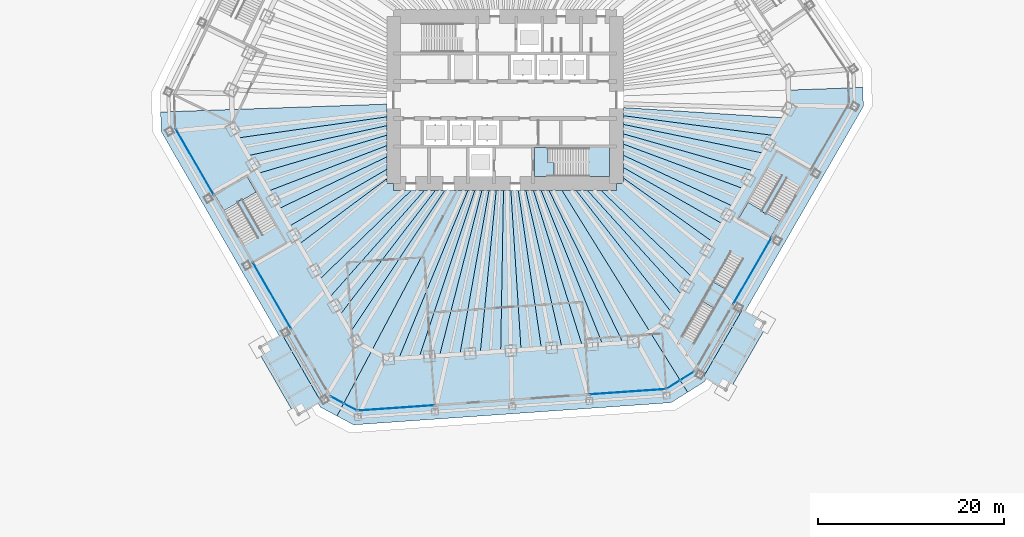
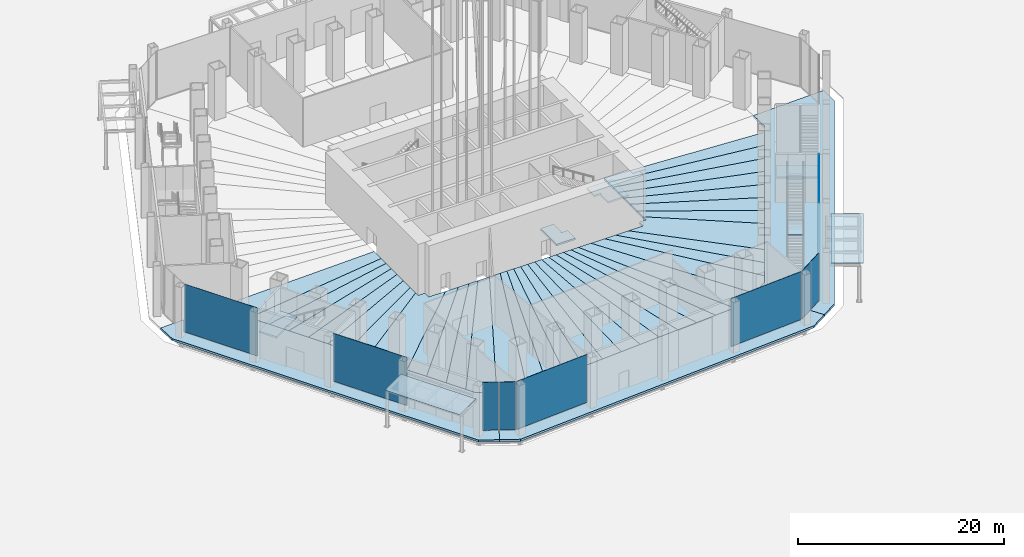
# One storey, part 24 of 45: 46 slabs, 9 plates, 11 elements without a shape of their own.
"""IFC4 building model written with IfcOpenShell, lengths in metres."""

from ifc_helpers import new_model, si_unit, direction, frame, origin, origin_2d, place, context, subcontext, project, spatial, polyline, rectangle, outline, extrude, material, layer, layer_set, constituent, constituent_set, type_object, element, aggregate, save


model = new_model("IFC4")

# Units and contexts
model_context = context("Model", 3, precision=1e-05, world=origin(), true_north=direction((0.0, 1.0)))
body_context = subcontext(model_context, "Body", "Model", "MODEL_VIEW")
ifc_project = project(units=[si_unit("LENGTHUNIT", "METRE"), si_unit("AREAUNIT", "SQUARE_METRE"), si_unit("VOLUMEUNIT", "CUBIC_METRE"), si_unit("PLANEANGLEUNIT", "RADIAN"), si_unit("MASSUNIT", "GRAM", prefix="KILO")], contexts=[model_context])

# Site, building, storey
site_placement = place(None, origin())
site = spatial("IfcSite", under=ifc_project, at=site_placement, CompositionType="ELEMENT")
building_placement = place(site_placement, origin())
building = spatial("IfcBuilding", under=site, at=building_placement, Name="Qingtian Harvest Tower", CompositionType="ELEMENT")
storey_placement = place(building_placement, origin())
storey = spatial("IfcBuildingStorey", under=building, at=storey_placement, Name="L00", CompositionType="ELEMENT", Elevation=0.0)

# Slabs
ifc_material_1 = material(Name="Concrete fc' 35 MPa", Category="concrete")
ifc_layer_1 = layer(ifc_material_1, 0.25)
ifc_layer_set_1 = layer_set([ifc_layer_1], Name="Composite floor slab FS25 250")
slab_type_1 = type_object("IfcSlabType", Name="Composite floor slab FS25 250", PredefinedType="FLOOR", material=ifc_layer_set_1)
slab_1_placement = place(storey_placement, frame((0.0, 0.0, -0.25)))
element("IfcSlab", 1, at=slab_1_placement, inside=storey, type_object=slab_type_1, Name="Floor slab L00 panel DPSE", PredefinedType="FLOOR", context=body_context, shape_type="SweptSolid", body=[
    extrude(outline(polyline([(19.688720703125, -31.508544921875), (15.607421875, -24.977294921875), (17.404541015625, -23.854248046875), (30.618408203125, -0.96728515625), (30.54736328125, 1.066650390625), (38.56103515625, 1.3466796875), (38.6318359375, -0.6875), (21.48583984375, -30.385498046875), (19.688720703125, -31.508544921875)])), origin(), (0.0, 0.0, 1.0), 0.25),
])
slab_2_placement = place(storey_placement, frame((0.0, 0.0, -0.25)))
element("IfcSlab", 2, at=slab_2_placement, inside=storey, type_object=slab_type_1, Name="Floor slab L00 panel DPS", PredefinedType="FLOOR", context=body_context, shape_type="SweptSolid", body=[
    extrude(outline(polyline([(-18.1142578125, -34.068115234375), (-14.349853515625, -26.98828125), (-12.552734375, -27.943603515625), (13.810546875, -26.10009765625), (15.607421875, -24.977294921875), (19.688720703125, -31.508544921875), (17.8916015625, -32.63134765625), (-16.317138671875, -35.0234375), (-18.1142578125, -34.068115234375)])), origin(), (0.0, 0.0, 1.0), 0.25),
])
slab_3_placement = place(storey_placement, frame((0.0, 0.0, -0.25)))
element("IfcSlab", 3, at=slab_3_placement, inside=storey, type_object=slab_type_1, Name="Floor slab L00 panel DPSW", PredefinedType="FLOOR", context=body_context, shape_type="SweptSolid", body=[
    extrude(outline(polyline([(-37.131591796875, -1.296630859375), (-29.434814453125, -1.02783203125), (-29.36083984375, -3.145751953125), (-16.14697265625, -26.03271484375), (-14.349853515625, -26.98828125), (-18.1142578125, -34.068115234375), (-19.911376953125, -33.112548828125), (-37.0576171875, -3.41455078125), (-37.131591796875, -1.296630859375)])), origin(), (0.0, 0.0, 1.0), 0.25),
])
slab_4_placement = place(storey_placement, frame((0.0, 0.0, -0.25)))
element("IfcSlab", 4, at=slab_4_placement, inside=storey, type_object=slab_type_1, Name="Floor slab L00 panel D01", PredefinedType="FLOOR", context=body_context, shape_type="SweptSolid", body=[
    extrude(outline(polyline([(-12.75, -0.447509765625), (-12.75, -1.822998046875), (-28.810302734375, -4.099365234375), (-29.36083984375, -3.145751953125), (-29.434814453125, -1.02783203125), (-12.75, -0.447509765625)])), origin(), (0.0, 0.0, 1.0), 0.25),
])
slab_5_placement = place(storey_placement, frame((0.0, 0.0, -0.25)))
element("IfcSlab", 5, at=slab_5_placement, inside=storey, type_object=slab_type_1, Name="Floor slab L00 panel D02", PredefinedType="FLOOR", context=body_context, shape_type="SweptSolid", body=[
    extrude(outline(polyline([(-12.75, -2.773681640625), (-27.708984375, -6.006591796875), (-28.810302734375, -4.099365234375), (-12.75, -1.822998046875), (-12.75, -2.773681640625)])), origin(), (0.0, 0.0, 1.0), 0.25),
])
slab_6_placement = place(storey_placement, frame((0.0, 0.0, -0.25)))
element("IfcSlab", 6, at=slab_6_placement, inside=storey, type_object=slab_type_1, Name="Floor slab L00 panel D03", PredefinedType="FLOOR", context=body_context, shape_type="SweptSolid", body=[
    extrude(outline(polyline([(-12.75, -3.80322265625), (-26.60791015625, -7.913818359375), (-27.708984375, -6.006591796875), (-12.75, -2.773681640625), (-12.75, -3.80322265625)])), origin(), (0.0, 0.0, 1.0), 0.25),
])
slab_7_placement = place(storey_placement, frame((0.0, 0.0, -0.25)))
element("IfcSlab", 7, at=slab_7_placement, inside=storey, type_object=slab_type_1, Name="Floor slab L00 panel D04", PredefinedType="FLOOR", context=body_context, shape_type="SweptSolid", body=[
    extrude(outline(polyline([(-12.75, -4.921875), (-25.5068359375, -9.821044921875), (-26.60791015625, -7.913818359375), (-12.75, -3.80322265625), (-12.75, -4.921875)])), origin(), (0.0, 0.0, 1.0), 0.25),
])
slab_8_placement = place(storey_placement, frame((0.0, 0.0, -0.25)))
element("IfcSlab", 8, at=slab_8_placement, inside=storey, type_object=slab_type_1, Name="Floor slab L00 panel D05", PredefinedType="FLOOR", context=body_context, shape_type="SweptSolid", body=[
    extrude(outline(polyline([(-12.75, -6.141357421875), (-24.405517578125, -11.728271484375), (-25.5068359375, -9.821044921875), (-12.75, -4.921875), (-12.75, -6.141357421875)])), origin(), (0.0, 0.0, 1.0), 0.25),
])
slab_9_placement = place(storey_placement, frame((0.0, 0.0, -0.25)))
element("IfcSlab", 9, at=slab_9_placement, inside=storey, type_object=slab_type_1, Name="Floor slab L00 panel D06", PredefinedType="FLOOR", context=body_context, shape_type="SweptSolid", body=[
    extrude(outline(polyline([(-12.75, -7.4765625), (-23.304443359375, -13.635498046875), (-24.405517578125, -11.728271484375), (-12.75, -6.141357421875), (-12.75, -7.4765625)])), origin(), (0.0, 0.0, 1.0), 0.25),
])
slab_10_placement = place(storey_placement, frame((0.0, 0.0, -0.25)))
element("IfcSlab", 10, at=slab_10_placement, inside=storey, type_object=slab_type_1, Name="Floor slab L00 panel D07", PredefinedType="FLOOR", context=body_context, shape_type="SweptSolid", body=[
    extrude(outline(polyline([(-12.75, -8.512451171875), (-22.203369140625, -15.542724609375), (-23.304443359375, -13.635498046875), (-12.75, -7.4765625), (-12.75, -8.512451171875)])), origin(), (0.0, 0.0, 1.0), 0.25),
])
slab_11_placement = place(storey_placement, frame((0.0, 0.0, -0.25)))
element("IfcSlab", 11, at=slab_11_placement, inside=storey, type_object=slab_type_1, Name="Floor slab L00 panel D09", PredefinedType="FLOOR", context=body_context, shape_type="SweptSolid", body=[
    extrude(outline(polyline([(-20.0009765625, -19.357177734375), (-22.203369140625, -15.542724609375), (-12.75, -8.512451171875), (-12.75, -9.0), (-12.0, -9.0), (-12.0, -9.75), (-10.1123046875, -9.75), (-20.0009765625, -19.357177734375)])), origin(), (0.0, 0.0, 1.0), 0.25),
])
slab_12_placement = place(storey_placement, frame((0.0, 0.0, -0.25)))
element("IfcSlab", 12, at=slab_12_placement, inside=storey, type_object=slab_type_1, Name="Floor slab L00 panel D10", PredefinedType="FLOOR", context=body_context, shape_type="SweptSolid", body=[
    extrude(outline(polyline([(-8.694580078125, -9.75), (-18.89990234375, -21.2646484375), (-20.0009765625, -19.357177734375), (-10.1123046875, -9.75), (-8.694580078125, -9.75)])), origin(), (0.0, 0.0, 1.0), 0.25),
])
slab_13_placement = place(storey_placement, frame((0.0, 0.0, -0.25)))
element("IfcSlab", 13, at=slab_13_placement, inside=storey, type_object=slab_type_1, Name="Floor slab L00 panel D11", PredefinedType="FLOOR", context=body_context, shape_type="SweptSolid", body=[
    extrude(outline(polyline([(-7.511474609375, -9.75), (-17.798583984375, -23.171875), (-18.89990234375, -21.2646484375), (-8.694580078125, -9.75), (-7.511474609375, -9.75)])), origin(), (0.0, 0.0, 1.0), 0.25),
])
slab_14_placement = place(storey_placement, frame((0.0, 0.0, -0.25)))
element("IfcSlab", 14, at=slab_14_placement, inside=storey, type_object=slab_type_1, Name="Floor slab L00 panel D12", PredefinedType="FLOOR", context=body_context, shape_type="SweptSolid", body=[
    extrude(outline(polyline([(-6.509033203125, -9.75), (-16.697509765625, -25.0791015625), (-17.798583984375, -23.171875), (-7.511474609375, -9.75), (-6.509033203125, -9.75)])), origin(), (0.0, 0.0, 1.0), 0.25),
])
slab_15_placement = place(storey_placement, frame((0.0, 0.0, -0.25)))
element("IfcSlab", 15, at=slab_15_placement, inside=storey, type_object=slab_type_1, Name="Floor slab L00 panel D13", PredefinedType="FLOOR", context=body_context, shape_type="SweptSolid", body=[
    extrude(outline(polyline([(-6.509033203125, -9.75), (-5.213623046875, -9.75), (-14.349853515625, -26.98828125), (-16.14697265625, -26.03271484375), (-16.697509765625, -25.0791015625), (-6.509033203125, -9.75)])), origin(), (0.0, 0.0, 1.0), 0.25),
])
slab_16_placement = place(storey_placement, frame((0.0, 0.0, -0.25)))
element("IfcSlab", 16, at=slab_16_placement, inside=storey, type_object=slab_type_1, Name="Floor slab L00 panel D14", PredefinedType="FLOOR", context=body_context, shape_type="SweptSolid", body=[
    extrude(outline(polyline([(-5.213623046875, -9.75), (-4.006591796875, -9.75), (-11.454345703125, -27.866943359375), (-12.552734375, -27.943603515625), (-14.349853515625, -26.98828125), (-5.213623046875, -9.75)])), origin(), (0.0, 0.0, 1.0), 0.25),
])
slab_17_placement = place(storey_placement, frame((0.0, 0.0, -0.25)))
element("IfcSlab", 17, at=slab_17_placement, inside=storey, type_object=slab_type_1, Name="Floor slab L00 panel D15", PredefinedType="FLOOR", context=body_context, shape_type="SweptSolid", body=[
    extrude(outline(polyline([(-3.255859375, -9.75), (-9.25732421875, -27.71337890625), (-11.454345703125, -27.866943359375), (-4.006591796875, -9.75), (-3.255859375, -9.75)])), origin(), (0.0, 0.0, 1.0), 0.25),
])
slab_18_placement = place(storey_placement, frame((0.0, 0.0, -0.25)))
element("IfcSlab", 18, at=slab_18_placement, inside=storey, type_object=slab_type_1, Name="Floor slab L00 panel D16", PredefinedType="FLOOR", context=body_context, shape_type="SweptSolid", body=[
    extrude(outline(polyline([(-2.496826171875, -9.75), (-7.060546875, -27.5595703125), (-9.25732421875, -27.71337890625), (-3.255859375, -9.75), (-2.496826171875, -9.75)])), origin(), (0.0, 0.0, 1.0), 0.25),
])
slab_19_placement = place(storey_placement, frame((0.0, 0.0, -0.25)))
element("IfcSlab", 19, at=slab_19_placement, inside=storey, type_object=slab_type_1, Name="Floor slab L00 panel D17", PredefinedType="FLOOR", context=body_context, shape_type="SweptSolid", body=[
    extrude(outline(polyline([(-1.729248046875, -9.75), (-4.863525390625, -27.406005859375), (-7.060546875, -27.5595703125), (-2.496826171875, -9.75), (-1.729248046875, -9.75)])), origin(), (0.0, 0.0, 1.0), 0.25),
])
slab_20_placement = place(storey_placement, frame((0.0, 0.0, -0.25)))
element("IfcSlab", 20, at=slab_20_placement, inside=storey, type_object=slab_type_1, Name="Floor slab L00 panel D18", PredefinedType="FLOOR", context=body_context, shape_type="SweptSolid", body=[
    extrude(outline(polyline([(-0.952880859375, -9.75), (-2.66650390625, -27.25244140625), (-4.863525390625, -27.406005859375), (-1.729248046875, -9.75), (-0.952880859375, -9.75)])), origin(), (0.0, 0.0, 1.0), 0.25),
])
slab_21_placement = place(storey_placement, frame((0.0, 0.0, -0.25)))
element("IfcSlab", 21, at=slab_21_placement, inside=storey, type_object=slab_type_1, Name="Floor slab L00 panel D19", PredefinedType="FLOOR", context=body_context, shape_type="SweptSolid", body=[
    extrude(outline(polyline([(-0.16796875, -9.75), (-0.4697265625, -27.098876953125), (-2.66650390625, -27.25244140625), (-0.952880859375, -9.75), (-0.16796875, -9.75)])), origin(), (0.0, 0.0, 1.0), 0.25),
])
slab_22_placement = place(storey_placement, frame((0.0, 0.0, -0.25)))
element("IfcSlab", 22, at=slab_22_placement, inside=storey, type_object=slab_type_1, Name="Floor slab L00 panel D20", PredefinedType="FLOOR", context=body_context, shape_type="SweptSolid", body=[
    extrude(outline(polyline([(0.626220703125, -9.75), (1.727294921875, -26.945068359375), (-0.4697265625, -27.098876953125), (-0.16796875, -9.75), (0.626220703125, -9.75)])), origin(), (0.0, 0.0, 1.0), 0.25),
])
slab_23_placement = place(storey_placement, frame((0.0, 0.0, -0.25)))
element("IfcSlab", 23, at=slab_23_placement, inside=storey, type_object=slab_type_1, Name="Floor slab L00 panel D21", PredefinedType="FLOOR", context=body_context, shape_type="SweptSolid", body=[
    extrude(outline(polyline([(1.42919921875, -9.75), (3.92431640625, -26.79150390625), (1.727294921875, -26.945068359375), (0.626220703125, -9.75), (1.42919921875, -9.75)])), origin(), (0.0, 0.0, 1.0), 0.25),
])
slab_24_placement = place(storey_placement, frame((0.0, 0.0, -0.25)))
element("IfcSlab", 24, at=slab_24_placement, inside=storey, type_object=slab_type_1, Name="Floor slab L00 panel D22", PredefinedType="FLOOR", context=body_context, shape_type="SweptSolid", body=[
    extrude(outline(polyline([(2.24169921875, -9.75), (6.12109375, -26.637939453125), (3.92431640625, -26.79150390625), (1.42919921875, -9.75), (2.24169921875, -9.75)])), origin(), (0.0, 0.0, 1.0), 0.25),
])
slab_25_placement = place(storey_placement, frame((0.0, 0.0, -0.25)))
element("IfcSlab", 25, at=slab_25_placement, inside=storey, type_object=slab_type_1, Name="Floor slab L00 panel D23", PredefinedType="FLOOR", context=body_context, shape_type="SweptSolid", body=[
    extrude(outline(polyline([(3.0634765625, -9.75), (8.318115234375, -26.484375), (6.12109375, -26.637939453125), (2.24169921875, -9.75), (3.0634765625, -9.75)])), origin(), (0.0, 0.0, 1.0), 0.25),
])
slab_26_placement = place(storey_placement, frame((0.0, 0.0, -0.25)))
element("IfcSlab", 26, at=slab_26_placement, inside=storey, type_object=slab_type_1, Name="Floor slab L00 panel D24", PredefinedType="FLOOR", context=body_context, shape_type="SweptSolid", body=[
    extrude(outline(polyline([(3.894775390625, -9.75), (10.51513671875, -26.33056640625), (8.318115234375, -26.484375), (3.0634765625, -9.75), (3.894775390625, -9.75)])), origin(), (0.0, 0.0, 1.0), 0.25),
])
slab_27_placement = place(storey_placement, frame((0.0, 0.0, -0.25)))
element("IfcSlab", 27, at=slab_27_placement, inside=storey, type_object=slab_type_1, Name="Floor slab L00 panel D25", PredefinedType="FLOOR", context=body_context, shape_type="SweptSolid", body=[
    extrude(outline(polyline([(4.736083984375, -9.75), (12.7119140625, -26.177001953125), (10.51513671875, -26.33056640625), (3.894775390625, -9.75), (4.736083984375, -9.75)])), origin(), (0.0, 0.0, 1.0), 0.25),
])
slab_28_placement = place(storey_placement, frame((0.0, 0.0, -0.25)))
element("IfcSlab", 28, at=slab_28_placement, inside=storey, type_object=slab_type_1, Name="Floor slab L00 panel D26", PredefinedType="FLOOR", context=body_context, shape_type="SweptSolid", body=[
    extrude(outline(polyline([(4.736083984375, -9.75), (6.136474609375, -9.75), (15.607421875, -24.977294921875), (13.810546875, -26.10009765625), (12.7119140625, -26.177001953125), (4.736083984375, -9.75)])), origin(), (0.0, 0.0, 1.0), 0.25),
])
slab_29_placement = place(storey_placement, frame((0.0, 0.0, -0.25)))
element("IfcSlab", 29, at=slab_29_placement, inside=storey, type_object=slab_type_1, Name="Floor slab L00 panel D27", PredefinedType="FLOOR", context=body_context, shape_type="SweptSolid", body=[
    extrude(outline(polyline([(6.136474609375, -9.75), (7.66748046875, -9.75), (17.955078125, -22.900634765625), (17.404541015625, -23.854248046875), (15.607421875, -24.977294921875), (6.136474609375, -9.75)])), origin(), (0.0, 0.0, 1.0), 0.25),
])
slab_30_placement = place(storey_placement, frame((0.0, 0.0, -0.25)))
element("IfcSlab", 30, at=slab_30_placement, inside=storey, type_object=slab_type_1, Name="Floor slab L00 panel D28", PredefinedType="FLOOR", context=body_context, shape_type="SweptSolid", body=[
    extrude(outline(polyline([(8.88037109375, -9.75), (19.056396484375, -20.993408203125), (17.955078125, -22.900634765625), (7.66748046875, -9.75), (8.88037109375, -9.75)])), origin(), (0.0, 0.0, 1.0), 0.25),
])
slab_31_placement = place(storey_placement, frame((0.0, 0.0, -0.25)))
element("IfcSlab", 31, at=slab_31_placement, inside=storey, type_object=slab_type_1, Name="Floor slab L00 panel D29", PredefinedType="FLOOR", context=body_context, shape_type="SweptSolid", body=[
    extrude(outline(polyline([(10.337158203125, -9.75), (20.157470703125, -19.086181640625), (19.056396484375, -20.993408203125), (8.88037109375, -9.75), (10.337158203125, -9.75)])), origin(), (0.0, 0.0, 1.0), 0.25),
])
slab_32_placement = place(storey_placement, frame((0.0, 0.0, -0.25)))
element("IfcSlab", 32, at=slab_32_placement, inside=storey, type_object=slab_type_1, Name="Floor slab L00 panel D31", PredefinedType="FLOOR", context=body_context, shape_type="SweptSolid", body=[
    extrude(outline(polyline([(12.75, -8.4091796875), (22.35986328125, -15.271728515625), (20.157470703125, -19.086181640625), (10.337158203125, -9.75), (12.0, -9.75), (12.0, -9.0), (12.75, -9.0), (12.75, -8.4091796875)])), origin(), (0.0, 0.0, 1.0), 0.25),
])
slab_33_placement = place(storey_placement, frame((0.0, 0.0, -0.25)))
element("IfcSlab", 33, at=slab_33_placement, inside=storey, type_object=slab_type_1, Name="Floor slab L00 panel D32", PredefinedType="FLOOR", context=body_context, shape_type="SweptSolid", body=[
    extrude(outline(polyline([(12.75, -7.279052734375), (23.4609375, -13.364501953125), (22.35986328125, -15.271728515625), (12.75, -8.4091796875), (12.75, -7.279052734375)])), origin(), (0.0, 0.0, 1.0), 0.25),
])
slab_34_placement = place(storey_placement, frame((0.0, 0.0, -0.25)))
element("IfcSlab", 34, at=slab_34_placement, inside=storey, type_object=slab_type_1, Name="Floor slab L00 panel D33", PredefinedType="FLOOR", context=body_context, shape_type="SweptSolid", body=[
    extrude(outline(polyline([(12.75, -5.96142578125), (24.56201171875, -11.457275390625), (23.4609375, -13.364501953125), (12.75, -7.279052734375), (12.75, -5.96142578125)])), origin(), (0.0, 0.0, 1.0), 0.25),
])
slab_35_placement = place(storey_placement, frame((0.0, 0.0, -0.25)))
element("IfcSlab", 35, at=slab_35_placement, inside=storey, type_object=slab_type_1, Name="Floor slab L00 panel D34", PredefinedType="FLOOR", context=body_context, shape_type="SweptSolid", body=[
    extrude(outline(polyline([(12.75, -4.757080078125), (25.663330078125, -9.550048828125), (24.56201171875, -11.457275390625), (12.75, -5.96142578125), (12.75, -4.757080078125)])), origin(), (0.0, 0.0, 1.0), 0.25),
])
slab_36_placement = place(storey_placement, frame((0.0, 0.0, -0.25)))
element("IfcSlab", 36, at=slab_36_placement, inside=storey, type_object=slab_type_1, Name="Floor slab L00 panel D35", PredefinedType="FLOOR", context=body_context, shape_type="SweptSolid", body=[
    extrude(outline(polyline([(12.75, -3.651611328125), (26.764404296875, -7.642822265625), (25.663330078125, -9.550048828125), (12.75, -4.757080078125), (12.75, -3.651611328125)])), origin(), (0.0, 0.0, 1.0), 0.25),
])
slab_37_placement = place(storey_placement, frame((0.0, 0.0, -0.25)))
element("IfcSlab", 37, at=slab_37_placement, inside=storey, type_object=slab_type_1, Name="Floor slab L00 panel D36", PredefinedType="FLOOR", context=body_context, shape_type="SweptSolid", body=[
    extrude(outline(polyline([(12.75, -2.634033203125), (27.865478515625, -5.7353515625), (26.764404296875, -7.642822265625), (12.75, -3.651611328125), (12.75, -2.634033203125)])), origin(), (0.0, 0.0, 1.0), 0.25),
])
slab_38_placement = place(storey_placement, frame((0.0, 0.0, -0.25)))
element("IfcSlab", 38, at=slab_38_placement, inside=storey, type_object=slab_type_1, Name="Floor slab L00 panel D37", PredefinedType="FLOOR", context=body_context, shape_type="SweptSolid", body=[
    extrude(outline(polyline([(12.75, -1.693603515625), (28.966796875, -3.828125), (27.865478515625, -5.7353515625), (12.75, -2.634033203125), (12.75, -1.693603515625)])), origin(), (0.0, 0.0, 1.0), 0.25),
])
slab_39_placement = place(storey_placement, frame((0.0, 0.0, -0.25)))
element("IfcSlab", 39, at=slab_39_placement, inside=storey, type_object=slab_type_1, Name="Floor slab L00 panel D38", PredefinedType="FLOOR", context=body_context, shape_type="SweptSolid", body=[
    extrude(outline(polyline([(12.75, -0.822265625), (30.06787109375, -1.9208984375), (28.966796875, -3.828125), (12.75, -1.693603515625), (12.75, -0.822265625)])), origin(), (0.0, 0.0, 1.0), 0.25),
])
ifc_material_2 = material(Name="Laminated heat-strengthened glass", Category="glass")
ifc_layer_2 = layer(ifc_material_2, 0.0400390625)
ifc_layer_set_2 = layer_set([ifc_layer_2], Name="Entrance canopy CN1 glass")
slab_type_2 = type_object("IfcSlabType", Name="Entrance canopy CN1 glass", PredefinedType="ROOF", material=ifc_layer_set_2)
slab_40_placement = place(storey_placement, frame((0.0, 0.0, 4.4599609375)))
element("IfcSlab", 40, at=slab_40_placement, inside=storey, type_object=slab_type_2, Name="Entrance canopy CN1 CN3 3", PredefinedType="ROOF", context=body_context, shape_type="SweptSolid", body=[
    extrude(outline(polyline([(25.566162109375, -22.617919921875), (21.395263671875, -29.84228515625), (24.123291015625, -31.417236328125), (28.294189453125, -24.19287109375), (25.566162109375, -22.617919921875)])), origin(), (0.0, 0.0, 1.0), 0.0400390625),
])
slab_41_placement = place(storey_placement, frame((0.0, 0.0, 4.4599609375)))
element("IfcSlab", 41, at=slab_41_placement, inside=storey, type_object=slab_type_2, Name="Entrance canopy CN1 CN4 0", PredefinedType="ROOF", context=body_context, shape_type="SweptSolid", body=[
    extrude(outline(polyline([(-19.858154296875, -32.504638671875), (-24.029052734375, -25.2802734375), (-26.757080078125, -26.85546875), (-22.586181640625, -34.07958984375), (-19.858154296875, -32.504638671875)])), origin(), (0.0, 0.0, 1.0), 0.0400390625),
])

# Stair, slab
ifc_material_3 = material(Name="Steel SN490B (325 MPa)", Category="steel")
ifc_constituent_1 = constituent(ifc_material_3, Name="Stringers")
ifc_material_4 = material(Name="Terrazzo treads")
ifc_constituent_2 = constituent(ifc_material_4, Name="Treads")
ifc_constituent_set = constituent_set(constituents=[ifc_constituent_1, ifc_constituent_2], Name="Steel SN490B (325 MPa)")
stair_type_1 = type_object("IfcStairType", Name="Feature stair FS6000 straight run", PredefinedType="STRAIGHT_RUN_STAIR", material=ifc_constituent_set)
stair_1_placement = place(storey_placement, origin())
stair_1 = element("IfcStair", 42, at=stair_1_placement, inside=storey, type_object=stair_type_1, Name="Feature stair FS1 L00 to L01", PredefinedType="STRAIGHT_RUN_STAIR")
ifc_material_5 = material(Name="Steel deck with terrazzo", Category="steel")
ifc_layer_3 = layer(ifc_material_5, 0.199951171875)
ifc_layer_set_3 = layer_set([ifc_layer_3], Name="Feature stair landing SL3 200")
slab_type_3 = type_object("IfcSlabType", Name="Feature stair landing SL3 200", PredefinedType="LANDING", material=ifc_layer_set_3)
slab_42_placement = place(storey_placement, frame((0.0, 0.0, 2.800048828125)))
slab_42 = element("IfcSlab", 43, at=slab_42_placement, type_object=slab_type_3, Name="FS1 landing 1", PredefinedType="LANDING", context=body_context, shape_type="SweptSolid", body=[
    extrude(outline(polyline([(21.207275390625, -21.679443359375), (22.412109375, -19.59228515625), (23.7978515625, -20.392333984375), (22.5927734375, -22.4794921875), (21.207275390625, -21.679443359375)])), origin(), (0.0, 0.0, 1.0), 0.199951171875),
])
aggregate(stair_1, [slab_42])

# Curtain wall, plate
ifc_material_6 = material(Name="Bronze-anodised aluminium curtain wall", Category="aluminium")
curtain_wall_type = type_object("IfcCurtainWallType", Name="Curtain wall CW1 podium shopfront", PredefinedType="USERDEFINED", material=ifc_material_6)
curtain_wall_1_placement = place(storey_placement, origin())
curtain_wall_1 = element("IfcCurtainWall", 44, at=curtain_wall_1_placement, inside=storey, type_object=curtain_wall_type, Name="Curtain wall CW1 L00 SE2", ObjectType="RECESSED CURTAIN WALL", PredefinedType="USERDEFINED")
ifc_material_7 = material(Name="Bronze-tinted laminated insulating glass", Category="glass")
ifc_layer_4 = layer(ifc_material_7, 0.030029296875)
ifc_layer_set_4 = layer_set([ifc_layer_4], Name="Glazed panel CWP tinted IGU")
plate_type = type_object("IfcPlateType", Name="Glazed panel CWP tinted IGU", PredefinedType="CURTAIN_PANEL", material=ifc_layer_set_4)
plate_1_placement = place(storey_placement, frame((26.65576171875, -18.430908203125, 0.06494140625), z_axis=(0.0, 0.0, 1.0), x_axis=(-0.5, -0.866025403784, 0.0)))
plate_1 = element("IfcPlate", 45, at=plate_1_placement, type_object=plate_type, Name="CW1 panel 1.1", PredefinedType="CURTAIN_PANEL", context=body_context, shape_type="SweptSolid", body=[
    extrude(rectangle(XDim=8.211669921875, YDim=0.030029296875, at=origin_2d()), origin(), (0.0, 0.0, 1.0), 5.68505859375),
])
aggregate(curtain_wall_1, [plate_1])

# Curtain wall, plates
curtain_wall_2_placement = place(storey_placement, origin())
curtain_wall_2 = element("IfcCurtainWall", 46, at=curtain_wall_2_placement, inside=storey, type_object=curtain_wall_type, Name="Curtain wall CW1 L00 SEC", ObjectType="RECESSED CURTAIN WALL", PredefinedType="USERDEFINED")
plate_2_placement = place(storey_placement, frame((19.62646484375, -29.750244140625, 0.06494140625), z_axis=(0.0, 0.0, 1.0), x_axis=(-0.848048096156, -0.529919264233, 0.0)))
plate_2 = element("IfcPlate", 47, at=plate_2_placement, type_object=plate_type, Name="CW1 panel 1.1", PredefinedType="CURTAIN_PANEL", context=body_context, shape_type="SweptSolid", body=[
    extrude(rectangle(XDim=1.69287109375, YDim=0.030029296875, at=origin_2d()), origin(), (0.0, 0.0, 1.0), 5.68505859375),
])
plate_3_placement = place(storey_placement, frame((18.1357421875, -30.681640625, 0.06494140625), z_axis=(0.0, 0.0, 1.0), x_axis=(-0.848048096156, -0.529919264233, 0.0)))
plate_3 = element("IfcPlate", 48, at=plate_3_placement, type_object=plate_type, Name="CW1 panel 2.1", PredefinedType="CURTAIN_PANEL", context=body_context, shape_type="SweptSolid", body=[
    extrude(rectangle(XDim=1.69287109375, YDim=0.030029296875, at=origin_2d()), origin(), (0.0, 0.0, 1.0), 5.68505859375),
])
aggregate(curtain_wall_2, [plate_2, plate_3])

# Curtain wall, plate
curtain_wall_3_placement = place(storey_placement, origin())
curtain_wall_3 = element("IfcCurtainWall", 49, at=curtain_wall_3_placement, inside=storey, type_object=curtain_wall_type, Name="Curtain wall CW1 L00 S0", ObjectType="RECESSED CURTAIN WALL", PredefinedType="USERDEFINED")
plate_4_placement = place(storey_placement, frame((13.201904296875, -31.455810546875, 0.06494140625), z_axis=(0.0, 0.0, 1.0), x_axis=(-0.99756405026, -0.069756473744, 0.0)))
plate_4 = element("IfcPlate", 50, at=plate_4_placement, type_object=plate_type, Name="CW1 panel 1.1", PredefinedType="CURTAIN_PANEL", context=body_context, shape_type="SweptSolid", body=[
    extrude(rectangle(XDim=8.211669921875, YDim=0.030029296875, at=origin_2d()), origin(), (0.0, 0.0, 1.0), 5.68505859375),
])
aggregate(curtain_wall_3, [plate_4])

curtain_wall_4_placement = place(storey_placement, origin())
curtain_wall_4 = element("IfcCurtainWall", 51, at=curtain_wall_4_placement, inside=storey, type_object=curtain_wall_type, Name="Curtain wall CW1 L00 S3", ObjectType="RECESSED CURTAIN WALL", PredefinedType="USERDEFINED")
plate_5_placement = place(storey_placement, frame((-11.762451171875, -33.201416015625, 0.06494140625), z_axis=(0.0, 0.0, 1.0), x_axis=(-0.99756405026, -0.069756473744, 0.0)))
plate_5 = element("IfcPlate", 52, at=plate_5_placement, type_object=plate_type, Name="CW1 panel 1.1", PredefinedType="CURTAIN_PANEL", context=body_context, shape_type="SweptSolid", body=[
    extrude(rectangle(XDim=8.211669921875, YDim=0.030029296875, at=origin_2d()), origin(), (0.0, 0.0, 1.0), 5.68505859375),
])
aggregate(curtain_wall_4, [plate_5])

# Curtain wall, plates
curtain_wall_5_placement = place(storey_placement, origin())
curtain_wall_5 = element("IfcCurtainWall", 53, at=curtain_wall_5_placement, inside=storey, type_object=curtain_wall_type, Name="Curtain wall CW1 L00 SC", ObjectType="RECESSED CURTAIN WALL", PredefinedType="USERDEFINED")
plate_6_placement = place(storey_placement, frame((-16.67236328125, -33.093994140625, 0.06494140625), z_axis=(0.0, 0.0, 1.0), x_axis=(-0.882947592859, 0.469471562786, 0.0)))
plate_6 = element("IfcPlate", 54, at=plate_6_placement, type_object=plate_type, Name="CW1 panel 1.1", PredefinedType="CURTAIN_PANEL", context=body_context, shape_type="SweptSolid", body=[
    extrude(rectangle(XDim=1.56689453125, YDim=0.030029296875, at=origin_2d()), origin(), (0.0, 0.0, 1.0), 5.68505859375),
])
plate_7_placement = place(storey_placement, frame((-18.113037109375, -32.327880859375, 0.06494140625), z_axis=(0.0, 0.0, 1.0), x_axis=(-0.882947592859, 0.469471562786, 0.0)))
plate_7 = element("IfcPlate", 55, at=plate_7_placement, type_object=plate_type, Name="CW1 panel 2.1", PredefinedType="CURTAIN_PANEL", context=body_context, shape_type="SweptSolid", body=[
    extrude(rectangle(XDim=1.56689453125, YDim=0.030029296875, at=origin_2d()), origin(), (0.0, 0.0, 1.0), 5.68505859375),
])
aggregate(curtain_wall_5, [plate_6, plate_7])

# Curtain wall, plate
curtain_wall_6_placement = place(storey_placement, origin())
curtain_wall_6 = element("IfcCurtainWall", 56, at=curtain_wall_6_placement, inside=storey, type_object=curtain_wall_type, Name="Curtain wall CW1 L00 SW1", ObjectType="RECESSED CURTAIN WALL", PredefinedType="USERDEFINED")
plate_8_placement = place(storey_placement, frame((-25.11865234375, -21.09326171875, 0.06494140625), z_axis=(0.0, 0.0, 1.0), x_axis=(-0.5, 0.866025403784, 0.0)))
plate_8 = element("IfcPlate", 57, at=plate_8_placement, type_object=plate_type, Name="CW1 panel 1.1", PredefinedType="CURTAIN_PANEL", context=body_context, shape_type="SweptSolid", body=[
    extrude(rectangle(XDim=8.211669921875, YDim=0.030029296875, at=origin_2d()), origin(), (0.0, 0.0, 1.0), 5.68505859375),
])
aggregate(curtain_wall_6, [plate_8])

curtain_wall_7_placement = place(storey_placement, origin())
curtain_wall_7 = element("IfcCurtainWall", 58, at=curtain_wall_7_placement, inside=storey, type_object=curtain_wall_type, Name="Curtain wall CW1 L00 SW3", ObjectType="RECESSED CURTAIN WALL", PredefinedType="USERDEFINED")
plate_9_placement = place(storey_placement, frame((-33.46044921875, -6.64501953125, 0.06494140625), z_axis=(0.0, 0.0, 1.0), x_axis=(-0.5, 0.866025403784, 0.0)))
plate_9 = element("IfcPlate", 59, at=plate_9_placement, type_object=plate_type, Name="CW1 panel 1.1", PredefinedType="CURTAIN_PANEL", context=body_context, shape_type="SweptSolid", body=[
    extrude(rectangle(XDim=8.211669921875, YDim=0.030029296875, at=origin_2d()), origin(), (0.0, 0.0, 1.0), 5.68505859375),
])
aggregate(curtain_wall_7, [plate_9])

# Stair, slab
ifc_material_8 = material(Name="Concrete fc' 35 MPa", Category="concrete")
stair_type_2 = type_object("IfcStairType", Name="Exit stair PS1 6000", PredefinedType="HALF_TURN_STAIR", material=ifc_material_8)
stair_2_placement = place(storey_placement, origin())
stair_2 = element("IfcStair", 60, at=stair_2_placement, inside=storey, type_object=stair_type_2, Name="Exit stair P2 L00", PredefinedType="HALF_TURN_STAIR")
ifc_material_9 = material(Name="Concrete fc' 35 MPa", Category="concrete")
ifc_layer_5 = layer(ifc_material_9, 0.199951171875)
ifc_layer_set_5 = layer_set([ifc_layer_5], Name="Stair landing SL2 200")
slab_type_4 = type_object("IfcSlabType", Name="Stair landing SL2 200", PredefinedType="LANDING", material=ifc_layer_set_5)
slab_43_placement = place(storey_placement, frame((0.0, 0.0, 2.800048828125)))
slab_43 = element("IfcSlab", 61, at=slab_43_placement, type_object=slab_type_4, Name="P2 landing 1", PredefinedType="LANDING", context=body_context, shape_type="SweptSolid", body=[
    extrude(outline(polyline([(25.1904296875, -12.768798828125), (26.186279296875, -11.0439453125), (27.7451171875, -11.94384765625), (27.6953125, -12.030517578125), (28.041748046875, -12.23046875), (28.091552734375, -12.143798828125), (29.650390625, -13.0439453125), (28.654541015625, -14.768798828125), (25.1904296875, -12.768798828125)])), origin(), (0.0, 0.0, 1.0), 0.199951171875),
])
aggregate(stair_2, [slab_43])

stair_3_placement = place(storey_placement, origin())
stair_3 = element("IfcStair", 62, at=stair_3_placement, inside=storey, type_object=stair_type_2, Name="Exit stair P3 L00", PredefinedType="HALF_TURN_STAIR")
slab_44_placement = place(storey_placement, frame((0.0, 0.0, 2.800048828125)))
slab_44 = element("IfcSlab", 63, at=slab_44_placement, type_object=slab_type_4, Name="P3 landing 1", PredefinedType="LANDING", context=body_context, shape_type="SweptSolid", body=[
    extrude(outline(polyline([(-27.82421875, -8.20703125), (-26.828369140625, -9.931884765625), (-28.38720703125, -10.83203125), (-28.437255859375, -10.745361328125), (-28.78369140625, -10.9453125), (-28.733642578125, -11.031982421875), (-30.29248046875, -11.931884765625), (-31.288330078125, -10.20703125), (-27.82421875, -8.20703125)])), origin(), (0.0, 0.0, 1.0), 0.199951171875),
])
aggregate(stair_3, [slab_44])

# Stair, slabs
ifc_material_10 = material(Name="Concrete fc' 35 MPa", Category="concrete")
stair_type_3 = type_object("IfcStairType", Name="Special stair ST1 6000", PredefinedType="HALF_TURN_STAIR", material=ifc_material_10)
stair_4_placement = place(storey_placement, origin())
stair_4 = element("IfcStair", 64, at=stair_4_placement, inside=storey, type_object=stair_type_3, Name="Special stair S2 L00", PredefinedType="HALF_TURN_STAIR")
slab_45_placement = place(storey_placement, frame((0.0, 0.0, -0.199951171875)))
slab_45 = element("IfcSlab", 65, at=slab_45_placement, type_object=slab_type_4, Name="S2 landing 1", PredefinedType="LANDING", context=body_context, shape_type="SweptSolid", body=[
    extrude(outline(polyline([(5.260009765625, -8.25), (3.14990234375, -8.25), (3.14990234375, -5.14990234375), (4.64990234375, -5.14990234375), (4.64990234375, -6.64990234375), (4.550048828125, -6.64990234375), (4.550048828125, -6.75), (5.260009765625, -6.75), (5.260009765625, -8.25)])), origin(), (0.0, 0.0, 1.0), 0.199951171875),
])
slab_46_placement = place(storey_placement, frame((0.0, 0.0, 2.800048828125)))
slab_46 = element("IfcSlab", 66, at=slab_46_placement, type_object=slab_type_4, Name="S2 landing 2", PredefinedType="LANDING", context=body_context, shape_type="SweptSolid", body=[
    extrude(outline(polyline([(8.929931640625, -8.25), (8.929931640625, -6.75), (9.030029296875, -6.75), (9.030029296875, -6.64990234375), (8.320068359375, -6.64990234375), (8.320068359375, -5.14990234375), (11.25, -5.14990234375), (11.25, -8.25), (8.929931640625, -8.25)])), origin(), (0.0, 0.0, 1.0), 0.199951171875),
])
aggregate(stair_4, [slab_45, slab_46])

save(model, "model.ifc")
